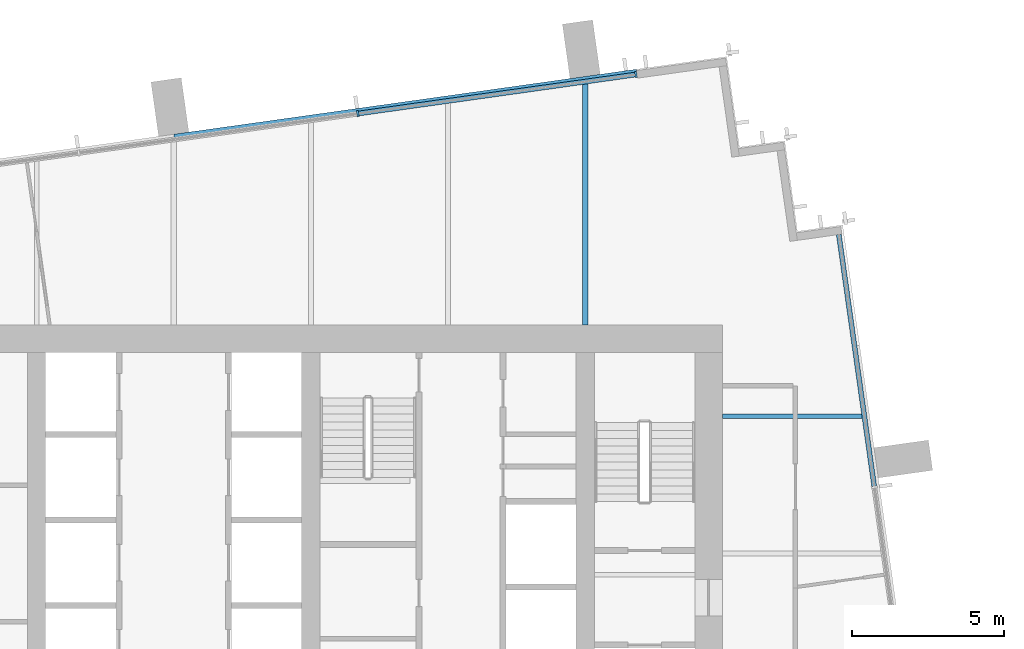
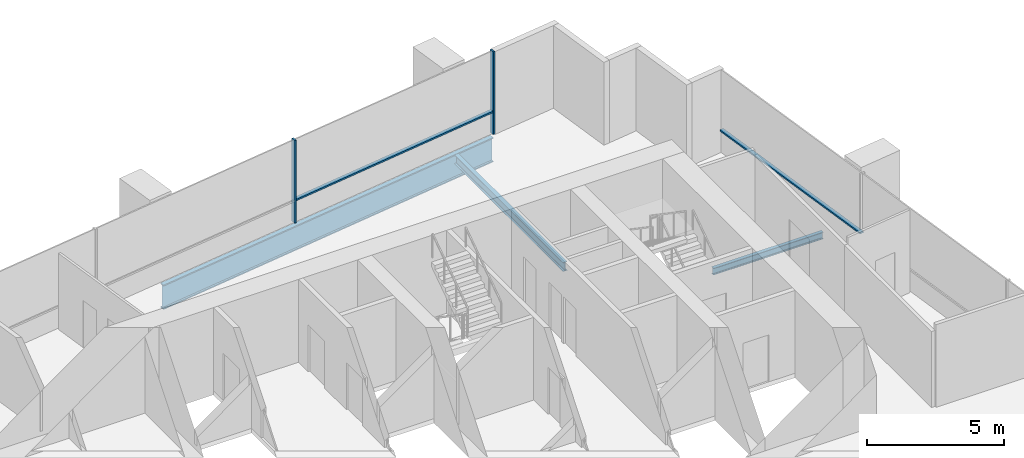
# One storey, part 6 of 12: 4 members, 3 beams, 2 elements without a shape of their own.
"""IFC4 building model written with IfcOpenShell, lengths in metres."""

from ifc_helpers import new_model, si_unit, direction, frame, origin, origin_2d, place, context, subcontext, project, spatial, rectangle, i_section, extrude, material, layer, layer_set, material_profile, profile_set, type_object, element, aggregate, save


model = new_model("IFC4")

# Units and contexts
model_context = context("Model", 3, precision=1e-05, world=origin(), true_north=direction((0.0, 1.0)))
body_context = subcontext(model_context, "Body", "Model", "MODEL_VIEW")
ifc_project = project(units=[si_unit("LENGTHUNIT", "METRE"), si_unit("AREAUNIT", "SQUARE_METRE"), si_unit("VOLUMEUNIT", "CUBIC_METRE"), si_unit("PLANEANGLEUNIT", "RADIAN"), si_unit("MASSUNIT", "GRAM", prefix="KILO")], contexts=[model_context])

# Site, building, storey
site_placement = place(None, origin())
site = spatial("IfcSite", under=ifc_project, at=site_placement, CompositionType="ELEMENT")
building_placement = place(site_placement, origin())
building = spatial("IfcBuilding", under=site, at=building_placement, Name="Rattan Terrace Tower", CompositionType="ELEMENT")
storey_placement = place(building_placement, frame((0.0, 0.0, 259.0)))
storey = spatial("IfcBuildingStorey", under=building, at=storey_placement, Name="L59", CompositionType="ELEMENT", Elevation=259.0)

# Beams
ifc_material_1 = material(Name="Steel S460", Category="steel")
ifc_material_profile_1 = material_profile(ifc_material_1, i_section(OverallWidth=0.179931640625, OverallDepth=1.10009765625, WebThickness=0.01611328125, FlangeThickness=0.050048828125, at=origin_2d()), Name="PG 1100x180-16-50")
ifc_profile_set_1 = profile_set([ifc_material_profile_1], Name="Steel S460")
beam_type_1 = type_object("IfcBeamType", Name="Frame edge girder PG 1100x180-16-50", PredefinedType="SPANDREL", material=ifc_profile_set_1)
beam_1_placement = place(storey_placement, frame((15.18896484375, 15.801025390625, -0.75), z_axis=(-0.99026622182, -0.139186241857, 0.0), x_axis=(0.139186241857, -0.99026622182, 0.0)))
element("IfcBeam", 1, at=beam_1_placement, inside=storey, type_object=beam_type_1, Name="gdr-L59-006", PredefinedType="SPANDREL", context=body_context, shape_type="SweptSolid", body=[
    extrude(i_section(OverallWidth=0.179931640625, OverallDepth=1.10009765625, WebThickness=0.01611328125, FlangeThickness=0.050048828125, at=origin_2d()), origin(), (0.0, 0.0, 1.0), 15.3251953125),
])
ifc_material_2 = material(Name="Steel S355", Category="steel")
ifc_material_profile_2 = material_profile(ifc_material_2, i_section(OverallWidth=0.14990234375, OverallDepth=0.300048828125, WebThickness=0.007080078125, FlangeThickness=0.0107421875, FilletRadius=0.014892578125, at=origin_2d()), Name="IPE 300")
ifc_profile_set_2 = profile_set([ifc_material_profile_2], Name="Steel S355")
beam_type_2 = type_object("IfcBeamType", Name="Frame floor beam IPE 300", PredefinedType="JOIST", material=ifc_profile_set_2)
beam_2_placement = place(storey_placement, frame((18.0, 4.5, -0.35009765625), z_axis=(1.0, 0.0, 0.0), x_axis=(0.0, 1.0, 0.0)))
element("IfcBeam", 2, at=beam_2_placement, inside=storey, type_object=beam_type_2, Name="bm-L59-014", PredefinedType="JOIST", context=body_context, shape_type="SweptSolid", body=[
    extrude(i_section(OverallWidth=0.14990234375, OverallDepth=0.300048828125, WebThickness=0.007080078125, FlangeThickness=0.0107421875, FilletRadius=0.014892578125, at=origin_2d()), origin(), (0.0, 0.0, 1.0), 4.64404296875),
])
ifc_material_3 = material(Name="Steel S355", Category="steel")
ifc_material_profile_3 = material_profile(ifc_material_3, i_section(OverallWidth=0.179931640625, OverallDepth=0.39990234375, WebThickness=0.008544921875, FlangeThickness=0.013427734375, FilletRadius=0.02099609375, at=origin_2d()), Name="IPE 400")
ifc_profile_set_3 = profile_set([ifc_material_profile_3], Name="Steel S355")
beam_type_3 = type_object("IfcBeamType", Name="Frame floor beam IPE 400", PredefinedType="JOIST", material=ifc_profile_set_3)
beam_3_placement = place(storey_placement, frame((13.5, 7.5, -0.39990234375), z_axis=(0.0, 1.0, 0.0), x_axis=(-1.0, 0.0, 0.0)))
element("IfcBeam", 3, at=beam_3_placement, inside=storey, type_object=beam_type_3, Name="bm-L59-021", PredefinedType="JOIST", context=body_context, shape_type="SweptSolid", body=[
    extrude(i_section(OverallWidth=0.179931640625, OverallDepth=0.39990234375, WebThickness=0.008544921875, FlangeThickness=0.013427734375, FilletRadius=0.02099609375, at=origin_2d()), origin(), (0.0, 0.0, 1.0), 7.9599609375),
])

# Curtain wall, members
ifc_material_4 = material(Name="Aluminium and laminated glass", Category="aluminium")
ifc_layer = layer(ifc_material_4, 0.199951171875)
ifc_layer_set = layer_set([ifc_layer], Name="High-Zone Unitised Curtain Wall")
curtain_wall_type = type_object("IfcCurtainWallType", Name="High-Zone Unitised Curtain Wall", PredefinedType="NOTDEFINED", material=ifc_layer_set)
curtain_wall_1_placement = place(storey_placement, origin())
curtain_wall_1 = element("IfcCurtainWall", 4, at=curtain_wall_1_placement, inside=storey, type_object=curtain_wall_type, Name="High-zone curtain wall L59-2", PredefinedType="NOTDEFINED")
ifc_material_5 = material(Name="Aluminium", Category="aluminium")
ifc_material_profile_4 = material_profile(ifc_material_5, rectangle(XDim=0.070068359375, YDim=0.199951171875, at=origin_2d()), Name="Aluminium 70x200")
ifc_profile_set_4 = profile_set([ifc_material_profile_4], Name="Aluminium")
member_type_1 = type_object("IfcMemberType", Name="High-Zone CW Mullion 70x200", PredefinedType="MULLION", material=ifc_profile_set_4)
member_1_placement = place(storey_placement, frame((15.1650390625, 15.716796875, 0.0), z_axis=(0.0, 0.0, 1.0), x_axis=(-0.990265894013, -0.139188574079, 0.0)))
member_1 = element("IfcMember", 5, at=member_1_placement, type_object=member_type_1, Name="Mullion cwl-L59-002.1", PredefinedType="MULLION", context=body_context, shape_type="SweptSolid", body=[
    extrude(rectangle(XDim=0.070068359375, YDim=0.199951171875, at=origin_2d()), origin(), (0.0, 0.0, 1.0), 3.699951171875),
])
member_2_placement = place(storey_placement, frame((6.040771484375, 14.434326171875, 0.0), z_axis=(0.0, 0.0, 1.0), x_axis=(-0.990265894013, -0.139188574079, 0.0)))
member_2 = element("IfcMember", 6, at=member_2_placement, type_object=member_type_1, Name="Mullion cwl-L59-002.2", PredefinedType="MULLION", context=body_context, shape_type="SweptSolid", body=[
    extrude(rectangle(XDim=0.070068359375, YDim=0.199951171875, at=origin_2d()), origin(), (0.0, 0.0, 1.0), 3.699951171875),
])

# Curtain wall, member
curtain_wall_2_placement = place(storey_placement, origin())
curtain_wall_2 = element("IfcCurtainWall", 7, at=curtain_wall_2_placement, inside=storey, type_object=curtain_wall_type, Name="High-zone curtain wall L59-1", PredefinedType="NOTDEFINED")
ifc_material_6 = material(Name="Aluminium", Category="aluminium")
ifc_material_profile_5 = material_profile(ifc_material_6, rectangle(XDim=0.159912109375, YDim=0.070068359375, at=origin_2d()), Name="Aluminium 160x70")
ifc_profile_set_5 = profile_set([ifc_material_profile_5], Name="Aluminium")
member_type_2 = type_object("IfcMemberType", Name="High-Zone CW Transom 160x70", PredefinedType="USERDEFINED", material=ifc_profile_set_5)
member_3_placement = place(storey_placement, frame((22.985107421875, 2.212158203125, 1.0), z_axis=(-0.139198740199, 0.990264465043, 0.0), x_axis=(-0.990264465043, -0.139198740199, 0.0)))
member_3 = element("IfcMember", 8, at=member_3_placement, type_object=member_type_2, Name="Transom cwl-L59-001.3", ObjectType="TRANSOM", PredefinedType="USERDEFINED", context=body_context, shape_type="SweptSolid", body=[
    extrude(rectangle(XDim=0.159912109375, YDim=0.070068359375, at=origin_2d()), origin(), (0.0, 0.0, 1.0), 8.336181640625),
])
aggregate(curtain_wall_2, [member_3])

# Member
member_4_placement = place(storey_placement, frame((15.13037109375, 15.7119140625, 1.0), z_axis=(-0.990266298783, -0.139185694291, 0.0), x_axis=(0.139185694291, -0.990266298783, 0.0)))
member_4 = element("IfcMember", 9, at=member_4_placement, type_object=member_type_2, Name="Transom cwl-L59-002.1", ObjectType="TRANSOM", PredefinedType="USERDEFINED", context=body_context, shape_type="SweptSolid", body=[
    extrude(rectangle(XDim=0.159912109375, YDim=0.070068359375, at=origin_2d()), origin(), (0.0, 0.0, 1.0), 9.14404296875),
])

aggregate(curtain_wall_1, [member_1, member_2, member_4])

save(model, "model.ifc")
